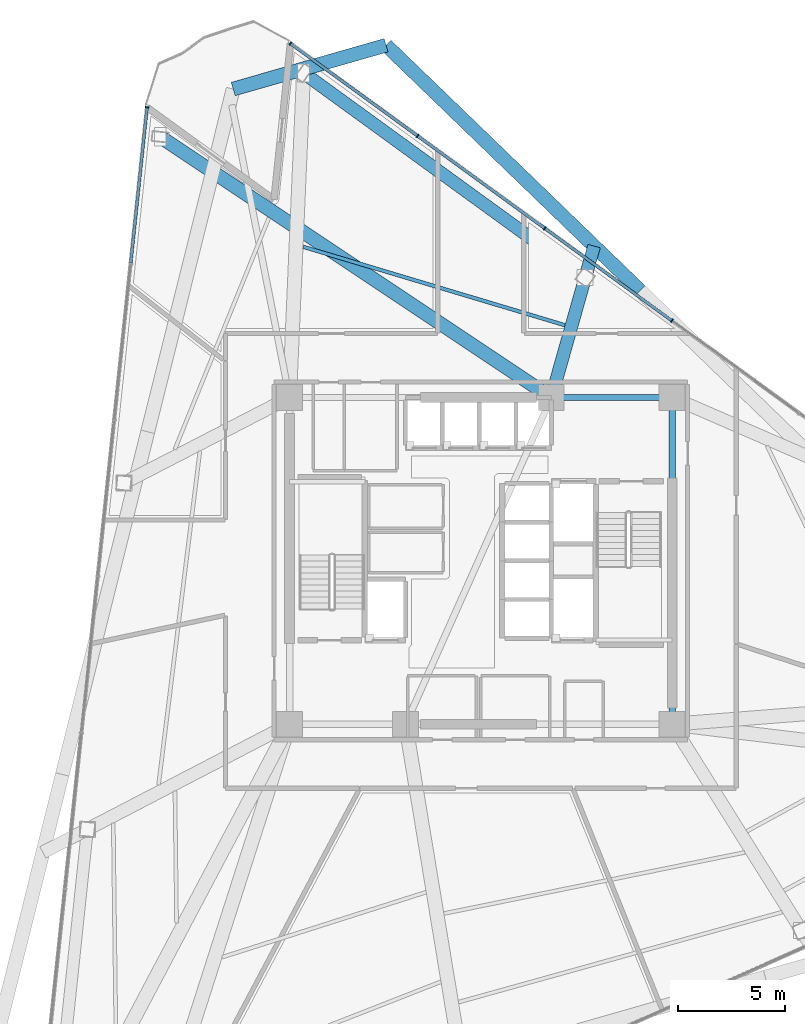
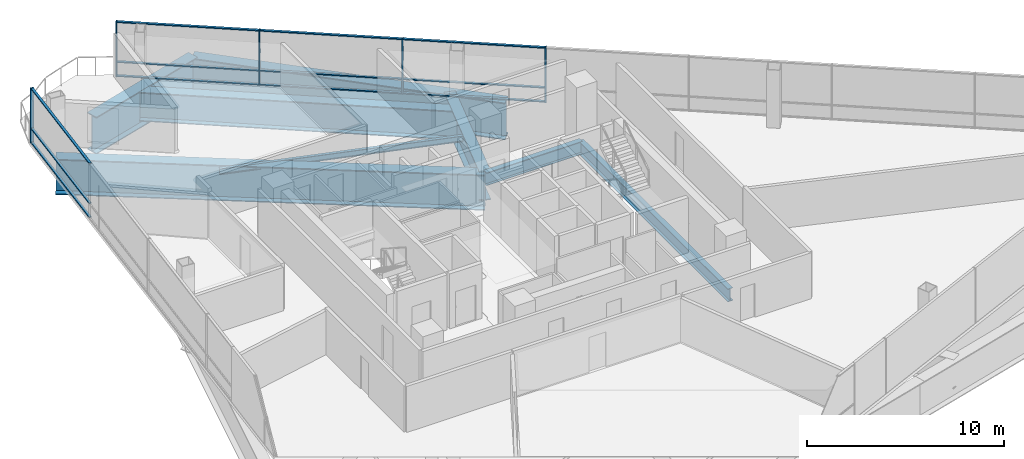
# One storey, part 8 of 17: 17 members, 8 beams, 2 elements without a shape of their own.
"""IFC4 building model written with IfcOpenShell, lengths in metres."""

from ifc_helpers import new_model, si_unit, direction, frame, origin, origin_2d, place, context, subcontext, project, spatial, rectangle, i_section, extrude, material, layer, layer_set, material_profile, profile_set, type_object, element, aggregate, save


model = new_model("IFC4")

# Units and contexts
model_context = context("Model", 3, precision=1e-05, world=origin(), true_north=direction((0.0, 1.0)))
body_context = subcontext(model_context, "Body", "Model", "MODEL_VIEW")
ifc_project = project(units=[si_unit("LENGTHUNIT", "METRE"), si_unit("AREAUNIT", "SQUARE_METRE"), si_unit("VOLUMEUNIT", "CUBIC_METRE"), si_unit("PLANEANGLEUNIT", "RADIAN"), si_unit("MASSUNIT", "GRAM", prefix="KILO")], contexts=[model_context])

# Site, building, storey
site_placement = place(None, origin())
site = spatial("IfcSite", under=ifc_project, at=site_placement, CompositionType="ELEMENT")
building_placement = place(site_placement, origin())
building = spatial("IfcBuilding", under=site, at=building_placement, Name="Tharavind Bronze Gate", CompositionType="ELEMENT")
storey_placement = place(building_placement, frame((0.0, 0.0, 112.449951171875)))
storey = spatial("IfcBuildingStorey", under=building, at=storey_placement, Name="L28", CompositionType="ELEMENT", Elevation=112.449951171875)

# Curtain wall, member
ifc_material_1 = material(Name="Anodised Bronze Aluminium", Category="aluminium")
ifc_layer = layer(ifc_material_1, 0.219970703125)
ifc_layer_set = layer_set([ifc_layer], Name="Anodised Bronze Aluminium")
curtain_wall_type = type_object("IfcCurtainWallType", Name="UNITISED CURTAIN WALL LOWER OFFICE", PredefinedType="USERDEFINED", material=ifc_layer_set)
curtain_wall_1_placement = place(storey_placement, origin())
curtain_wall_1 = element("IfcCurtainWall", 1, at=curtain_wall_1_placement, inside=storey, type_object=curtain_wall_type, Name="L28 unitised curtain wall lower office CW-L28-S1", ObjectType="UNITISED CURTAIN WALL", PredefinedType="USERDEFINED")
member_type_1 = type_object("IfcMemberType", Name="CURTAIN WALL BRONZE MULLION 65X180", PredefinedType="MULLION", material=ifc_material_1)
member_1_placement = place(storey_placement, frame((-15.527587890625, 21.101806640625, 0.0), z_axis=(0.0, 0.0, 1.0), x_axis=(-0.104526727499, -0.994522077803, 0.0)))
member_1 = element("IfcMember", 2, at=member_1_placement, type_object=member_type_1, Name="CW-L28-S1 mullion 1", PredefinedType="MULLION", context=body_context, shape_type="SweptSolid", body=[
    extrude(rectangle(XDim=0.06494140625, YDim=0.179931640625, at=origin_2d()), origin(), (0.0, 0.0, 1.0), 3.409912109375),
])

# Curtain wall, members
curtain_wall_2_placement = place(storey_placement, origin())
curtain_wall_2 = element("IfcCurtainWall", 3, at=curtain_wall_2_placement, inside=storey, type_object=curtain_wall_type, Name="L28 unitised curtain wall lower office CW-L28-S3", ObjectType="UNITISED CURTAIN WALL", PredefinedType="USERDEFINED")
member_2_placement = place(storey_placement, frame((8.89111328125, 11.1748046875, 0.0), z_axis=(0.0, 0.0, 1.0), x_axis=(-0.809016994375, 0.587785252292, 0.0)))
member_2 = element("IfcMember", 4, at=member_2_placement, type_object=member_type_1, Name="CW-L28-S3 mullion 5", PredefinedType="MULLION", context=body_context, shape_type="SweptSolid", body=[
    extrude(rectangle(XDim=0.06494140625, YDim=0.179931640625, at=origin_2d()), origin(), (0.0, 0.0, 1.0), 3.409912109375),
])
member_3_placement = place(storey_placement, frame((2.974609375, 15.473388671875, 0.0), z_axis=(0.0, 0.0, 1.0), x_axis=(-0.809016994375, 0.587785252292, 0.0)))
member_3 = element("IfcMember", 5, at=member_3_placement, type_object=member_type_1, Name="CW-L28-S3 mullion 6", PredefinedType="MULLION", context=body_context, shape_type="SweptSolid", body=[
    extrude(rectangle(XDim=0.06494140625, YDim=0.179931640625, at=origin_2d()), origin(), (0.0, 0.0, 1.0), 3.409912109375),
])
member_4_placement = place(storey_placement, frame((-2.942138671875, 19.772216796875, 0.0), z_axis=(0.0, 0.0, 1.0), x_axis=(-0.809016994375, 0.587785252292, 0.0)))
member_4 = element("IfcMember", 6, at=member_4_placement, type_object=member_type_1, Name="CW-L28-S3 mullion 7", PredefinedType="MULLION", context=body_context, shape_type="SweptSolid", body=[
    extrude(rectangle(XDim=0.06494140625, YDim=0.179931640625, at=origin_2d()), origin(), (0.0, 0.0, 1.0), 3.409912109375),
])
member_5_placement = place(storey_placement, frame((-8.85888671875, 24.07080078125, 0.0), z_axis=(0.0, 0.0, 1.0), x_axis=(-0.809016994375, 0.587785252292, 0.0)))
member_5 = element("IfcMember", 7, at=member_5_placement, type_object=member_type_1, Name="CW-L28-S3 mullion 8", PredefinedType="MULLION", context=body_context, shape_type="SweptSolid", body=[
    extrude(rectangle(XDim=0.06494140625, YDim=0.179931640625, at=origin_2d()), origin(), (0.0, 0.0, 1.0), 3.409912109375),
])

# Member
member_type_2 = type_object("IfcMemberType", Name="CURTAIN WALL BRONZE TRANSOM 65X140", PredefinedType="USERDEFINED", material=ifc_material_1)
member_6_placement = place(storey_placement, frame((-15.909912109375, 17.465087890625, 0.0), z_axis=(0.0, 0.0, 1.0), x_axis=(-0.104526727499, -0.994522077803, 0.0)))
member_6 = element("IfcMember", 8, at=member_6_placement, type_object=member_type_2, Name="CW-L28-S1 transom TB1", ObjectType="TRANSOM", PredefinedType="USERDEFINED", context=body_context, shape_type="SweptSolid", body=[
    extrude(rectangle(XDim=7.26025390625, YDim=0.139892578125, at=origin_2d()), origin(), (0.0, 0.0, 1.0), 0.06494140625),
])

member_7_placement = place(storey_placement, frame((-15.909912109375, 17.465087890625, 0.86767578125), z_axis=(0.0, 0.0, 1.0), x_axis=(-0.104526727499, -0.994522077803, 0.0)))
member_7 = element("IfcMember", 9, at=member_7_placement, type_object=member_type_2, Name="CW-L28-S1 transom TS1", ObjectType="TRANSOM", PredefinedType="USERDEFINED", context=body_context, shape_type="SweptSolid", body=[
    extrude(rectangle(XDim=7.26025390625, YDim=0.139892578125, at=origin_2d()), origin(), (0.0, 0.0, 1.0), 0.06494140625),
])

member_8_placement = place(storey_placement, frame((-15.909912109375, 17.465087890625, 3.344970703125), z_axis=(0.0, 0.0, 1.0), x_axis=(-0.104526727499, -0.994522077803, 0.0)))
member_8 = element("IfcMember", 10, at=member_8_placement, type_object=member_type_2, Name="CW-L28-S1 transom TT1", ObjectType="TRANSOM", PredefinedType="USERDEFINED", context=body_context, shape_type="SweptSolid", body=[
    extrude(rectangle(XDim=7.26025390625, YDim=0.139892578125, at=origin_2d()), origin(), (0.0, 0.0, 1.0), 0.06494140625),
])

aggregate(curtain_wall_1, [member_1, member_6, member_7, member_8])

member_9_placement = place(storey_placement, frame((5.932861328125, 13.32421875, 0.0), z_axis=(0.0, 0.0, 1.0), x_axis=(-0.809016994375, 0.587785252292, 0.0)))
member_9 = element("IfcMember", 11, at=member_9_placement, type_object=member_type_2, Name="CW-L28-S3 transom TB5", ObjectType="TRANSOM", PredefinedType="USERDEFINED", context=body_context, shape_type="SweptSolid", body=[
    extrude(rectangle(XDim=7.260498046875, YDim=0.139892578125, at=origin_2d()), origin(), (0.0, 0.0, 1.0), 0.06494140625),
])

member_10_placement = place(storey_placement, frame((5.932861328125, 13.32421875, 0.86767578125), z_axis=(0.0, 0.0, 1.0), x_axis=(-0.809016994375, 0.587785252292, 0.0)))
member_10 = element("IfcMember", 12, at=member_10_placement, type_object=member_type_2, Name="CW-L28-S3 transom TS5", ObjectType="TRANSOM", PredefinedType="USERDEFINED", context=body_context, shape_type="SweptSolid", body=[
    extrude(rectangle(XDim=7.260498046875, YDim=0.139892578125, at=origin_2d()), origin(), (0.0, 0.0, 1.0), 0.06494140625),
])

member_11_placement = place(storey_placement, frame((5.932861328125, 13.32421875, 3.344970703125), z_axis=(0.0, 0.0, 1.0), x_axis=(-0.809016994375, 0.587785252292, 0.0)))
member_11 = element("IfcMember", 13, at=member_11_placement, type_object=member_type_2, Name="CW-L28-S3 transom TT5", ObjectType="TRANSOM", PredefinedType="USERDEFINED", context=body_context, shape_type="SweptSolid", body=[
    extrude(rectangle(XDim=7.260498046875, YDim=0.139892578125, at=origin_2d()), origin(), (0.0, 0.0, 1.0), 0.06494140625),
])

member_12_placement = place(storey_placement, frame((0.01611328125, 17.622802734375, 0.0), z_axis=(0.0, 0.0, 1.0), x_axis=(-0.809016994375, 0.587785252292, 0.0)))
member_12 = element("IfcMember", 14, at=member_12_placement, type_object=member_type_2, Name="CW-L28-S3 transom TB6", ObjectType="TRANSOM", PredefinedType="USERDEFINED", context=body_context, shape_type="SweptSolid", body=[
    extrude(rectangle(XDim=7.260498046875, YDim=0.139892578125, at=origin_2d()), origin(), (0.0, 0.0, 1.0), 0.06494140625),
])

member_13_placement = place(storey_placement, frame((0.01611328125, 17.622802734375, 0.86767578125), z_axis=(0.0, 0.0, 1.0), x_axis=(-0.809016994375, 0.587785252292, 0.0)))
member_13 = element("IfcMember", 15, at=member_13_placement, type_object=member_type_2, Name="CW-L28-S3 transom TS6", ObjectType="TRANSOM", PredefinedType="USERDEFINED", context=body_context, shape_type="SweptSolid", body=[
    extrude(rectangle(XDim=7.260498046875, YDim=0.139892578125, at=origin_2d()), origin(), (0.0, 0.0, 1.0), 0.06494140625),
])

member_14_placement = place(storey_placement, frame((0.01611328125, 17.622802734375, 3.344970703125), z_axis=(0.0, 0.0, 1.0), x_axis=(-0.809016994375, 0.587785252292, 0.0)))
member_14 = element("IfcMember", 16, at=member_14_placement, type_object=member_type_2, Name="CW-L28-S3 transom TT6", ObjectType="TRANSOM", PredefinedType="USERDEFINED", context=body_context, shape_type="SweptSolid", body=[
    extrude(rectangle(XDim=7.260498046875, YDim=0.139892578125, at=origin_2d()), origin(), (0.0, 0.0, 1.0), 0.06494140625),
])

member_15_placement = place(storey_placement, frame((-5.900390625, 21.921630859375, 0.0), z_axis=(0.0, 0.0, 1.0), x_axis=(-0.809016994375, 0.587785252292, 0.0)))
member_15 = element("IfcMember", 17, at=member_15_placement, type_object=member_type_2, Name="CW-L28-S3 transom TB7", ObjectType="TRANSOM", PredefinedType="USERDEFINED", context=body_context, shape_type="SweptSolid", body=[
    extrude(rectangle(XDim=7.260498046875, YDim=0.139892578125, at=origin_2d()), origin(), (0.0, 0.0, 1.0), 0.06494140625),
])

member_16_placement = place(storey_placement, frame((-5.900390625, 21.921630859375, 0.86767578125), z_axis=(0.0, 0.0, 1.0), x_axis=(-0.809016994375, 0.587785252292, 0.0)))
member_16 = element("IfcMember", 18, at=member_16_placement, type_object=member_type_2, Name="CW-L28-S3 transom TS7", ObjectType="TRANSOM", PredefinedType="USERDEFINED", context=body_context, shape_type="SweptSolid", body=[
    extrude(rectangle(XDim=7.260498046875, YDim=0.139892578125, at=origin_2d()), origin(), (0.0, 0.0, 1.0), 0.06494140625),
])

member_17_placement = place(storey_placement, frame((-5.900390625, 21.921630859375, 3.344970703125), z_axis=(0.0, 0.0, 1.0), x_axis=(-0.809016994375, 0.587785252292, 0.0)))
member_17 = element("IfcMember", 19, at=member_17_placement, type_object=member_type_2, Name="CW-L28-S3 transom TT7", ObjectType="TRANSOM", PredefinedType="USERDEFINED", context=body_context, shape_type="SweptSolid", body=[
    extrude(rectangle(XDim=7.260498046875, YDim=0.139892578125, at=origin_2d()), origin(), (0.0, 0.0, 1.0), 0.06494140625),
])

aggregate(curtain_wall_2, [member_2, member_3, member_4, member_5, member_9, member_10, member_11, member_12, member_13, member_14, member_15, member_16, member_17])

# Beams
ifc_material_2 = material(Name="Steel S355", Category="steel")
ifc_material_profile_1 = material_profile(ifc_material_2, i_section(OverallWidth=0.300048828125, OverallDepth=0.800048828125, WebThickness=0.017578125, FlangeThickness=0.032958984375, at=origin_2d()), Name="HE800B")
ifc_profile_set_1 = profile_set([ifc_material_profile_1], Name="Steel S355")
beam_type_1 = type_object("IfcBeamType", Name="RING GIRDER HE800B", PredefinedType="USERDEFINED", material=ifc_profile_set_1)
beam_1_placement = place(storey_placement, frame((8.89990234375, -7.60009765625, -0.58984375), z_axis=(0.0, 1.0, 0.0), x_axis=(-1.0, 0.0, 0.0)))
element("IfcBeam", 20, at=beam_1_placement, inside=storey, type_object=beam_type_1, Name="L28 ring girder he800b BM-L28-CR3", ObjectType="GIRDER", PredefinedType="USERDEFINED", context=body_context, shape_type="SweptSolid", body=[
    extrude(i_section(OverallWidth=0.300048828125, OverallDepth=0.800048828125, WebThickness=0.017578125, FlangeThickness=0.032958984375, at=origin_2d()), origin(), (0.0, 0.0, 1.0), 15.2001953125),
])
beam_2_placement = place(storey_placement, frame((8.89990234375, 7.60009765625, -0.58984375), z_axis=(-1.0, 0.0, 0.0), x_axis=(0.0, -1.0, 0.0)))
element("IfcBeam", 21, at=beam_2_placement, inside=storey, type_object=beam_type_1, Name="L28 ring girder he800b BM-L28-CR4", ObjectType="GIRDER", PredefinedType="USERDEFINED", context=body_context, shape_type="SweptSolid", body=[
    extrude(i_section(OverallWidth=0.300048828125, OverallDepth=0.800048828125, WebThickness=0.017578125, FlangeThickness=0.032958984375, at=origin_2d()), origin(), (0.0, 0.0, 1.0), 5.619873046875),
])
ifc_material_profile_2 = material_profile(ifc_material_2, i_section(OverallWidth=0.169921875, OverallDepth=0.360107421875, WebThickness=0.008056640625, FlangeThickness=0.0126953125, at=origin_2d()), Name="IPE360")
ifc_profile_set_2 = profile_set([ifc_material_profile_2], Name="Steel S355")
beam_type_2 = type_object("IfcBeamType", Name="SECONDARY FLOOR JOIST IPE360", PredefinedType="JOIST", material=ifc_profile_set_2)
beam_3_placement = place(storey_placement, frame((3.914306640625, 10.9638671875, -0.369873046875), z_axis=(-0.957931892189, 0.286995627018, 0.0), x_axis=(-0.286995627018, -0.957931892189, 0.0)))
element("IfcBeam", 22, at=beam_3_placement, inside=storey, type_object=beam_type_2, Name="L28 secondary floor joist ipe360 BM-L28-JSTA11", PredefinedType="JOIST", context=body_context, shape_type="SweptSolid", body=[
    extrude(i_section(OverallWidth=0.169921875, OverallDepth=0.360107421875, WebThickness=0.008056640625, FlangeThickness=0.0126953125, at=origin_2d()), origin(), (0.0, 0.0, 1.0), 12.717529296875),
])
ifc_material_3 = material(Name="Steel S460", Category="steel")
ifc_material_profile_3 = material_profile(ifc_material_3, i_section(OverallWidth=0.60009765625, OverallDepth=1.800048828125, WebThickness=0.031982421875, FlangeThickness=0.054931640625, at=origin_2d()), Name="PG1800X600")
ifc_profile_set_3 = profile_set([ifc_material_profile_3], Name="Steel S460")
beam_type_3 = type_object("IfcBeamType", Name="TRANSFER GIRDER 1800X600", PredefinedType="USERDEFINED", material=ifc_profile_set_3)
beam_4_placement = place(storey_placement, frame((4.856201171875, 13.179443359375, -1.08984375), z_axis=(-0.809014294341, 0.587788968553, 0.0), x_axis=(-0.587788968553, -0.809014294341, 0.0)))
element("IfcBeam", 23, at=beam_4_placement, inside=storey, type_object=beam_type_3, Name="L28 transfer girder 1800x600 BM-L28-URG11", ObjectType="TRANSFER GIRDER", PredefinedType="USERDEFINED", context=body_context, shape_type="SweptSolid", body=[
    extrude(i_section(OverallWidth=0.60009765625, OverallDepth=1.800048828125, WebThickness=0.031982421875, FlangeThickness=0.054931640625, at=origin_2d()), origin(), (0.0, 0.0, 1.0), 16.198486328125),
])
beam_5_placement = place(storey_placement, frame((3.280029296875, 7.60009765625, -1.08984375), z_axis=(0.271875114366, 0.962332542414, 0.0), x_axis=(-0.962332542414, 0.271875114366, 0.0)))
element("IfcBeam", 24, at=beam_5_placement, inside=storey, type_object=beam_type_3, Name="L28 transfer girder 1800x600 BM-L28-XFR11", ObjectType="TRANSFER GIRDER", PredefinedType="USERDEFINED", context=body_context, shape_type="SweptSolid", body=[
    extrude(i_section(OverallWidth=0.60009765625, OverallDepth=1.800048828125, WebThickness=0.031982421875, FlangeThickness=0.054931640625, at=origin_2d()), origin(), (0.0, 0.0, 1.0), 7.322265625),
])
ifc_material_profile_4 = material_profile(ifc_material_3, i_section(OverallWidth=0.64990234375, OverallDepth=2.199951171875, WebThickness=0.035888671875, FlangeThickness=0.054931640625, at=origin_2d()), Name="PG2200X650")
ifc_profile_set_4 = profile_set([ifc_material_profile_4], Name="Steel S460")
beam_type_4 = type_object("IfcBeamType", Name="TRANSFER GIRDER 2200X650", PredefinedType="USERDEFINED", material=ifc_profile_set_4)
beam_6_placement = place(storey_placement, frame((3.280029296875, 7.60009765625, -1.2900390625), z_axis=(-0.832057163818, 0.554689891867, 0.0), x_axis=(-0.554689891867, -0.832057163818, 0.0)))
element("IfcBeam", 25, at=beam_6_placement, inside=storey, type_object=beam_type_4, Name="L28 transfer girder 2200x650 BM-L28-XFR01", ObjectType="TRANSFER GIRDER", PredefinedType="USERDEFINED", context=body_context, shape_type="SweptSolid", body=[
    extrude(i_section(OverallWidth=0.64990234375, OverallDepth=2.199951171875, WebThickness=0.035888671875, FlangeThickness=0.054931640625, at=origin_2d()), origin(), (0.0, 0.0, 1.0), 21.87060546875),
])
ifc_material_profile_5 = material_profile(ifc_material_3, i_section(OverallWidth=0.64990234375, OverallDepth=2.300048828125, WebThickness=0.035888671875, FlangeThickness=0.05810546875, at=origin_2d()), Name="PG2300X650")
ifc_profile_set_5 = profile_set([ifc_material_profile_5], Name="Steel S460")
beam_type_5 = type_object("IfcBeamType", Name="TRANSFER GIRDER 2300X650", PredefinedType="USERDEFINED", material=ifc_profile_set_5)
beam_7_placement = place(storey_placement, frame((7.41455078125, 12.576171875, -1.33984375), z_axis=(-0.719336950964, 0.694661321061, 0.0), x_axis=(-0.694661321061, -0.719336950964, 0.0)))
element("IfcBeam", 26, at=beam_7_placement, inside=storey, type_object=beam_type_5, Name="L28 transfer girder 2300x650 BM-L28-LRG11", ObjectType="TRANSFER GIRDER", PredefinedType="USERDEFINED", context=body_context, shape_type="SweptSolid", body=[
    extrude(i_section(OverallWidth=0.64990234375, OverallDepth=2.300048828125, WebThickness=0.035888671875, FlangeThickness=0.05810546875, at=origin_2d()), origin(), (0.0, 0.0, 1.0), 16.433837890625),
])
beam_8_placement = place(storey_placement, frame((-4.406982421875, 23.9921875, -1.33984375), z_axis=(-0.961258317766, -0.275649136633, 0.0), x_axis=(0.275649136633, -0.961258317766, 0.0)))
element("IfcBeam", 27, at=beam_8_placement, inside=storey, type_object=beam_type_5, Name="L28 transfer girder 2300x650 BM-L28-LRG12", ObjectType="TRANSFER GIRDER", PredefinedType="USERDEFINED", context=body_context, shape_type="SweptSolid", body=[
    extrude(i_section(OverallWidth=0.64990234375, OverallDepth=2.300048828125, WebThickness=0.035888671875, FlangeThickness=0.05810546875, at=origin_2d()), origin(), (0.0, 0.0, 1.0), 7.39990234375),
])

save(model, "model.ifc")
